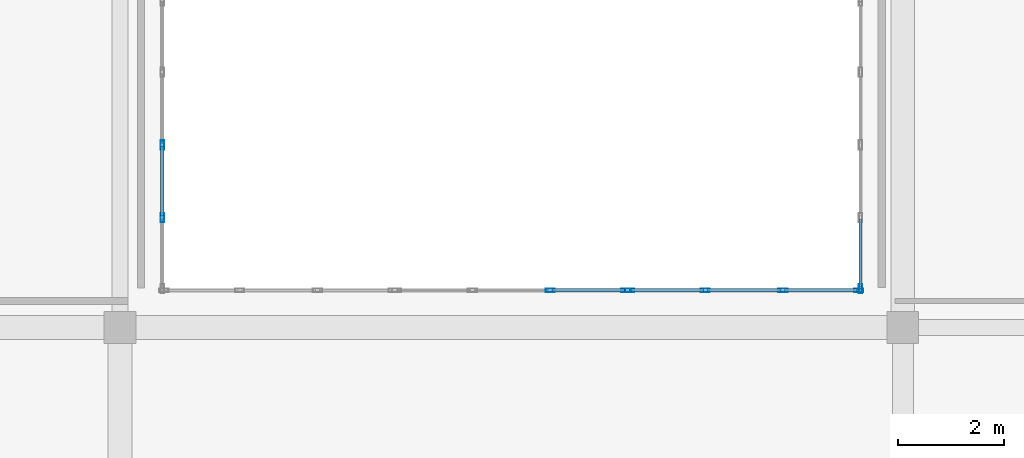
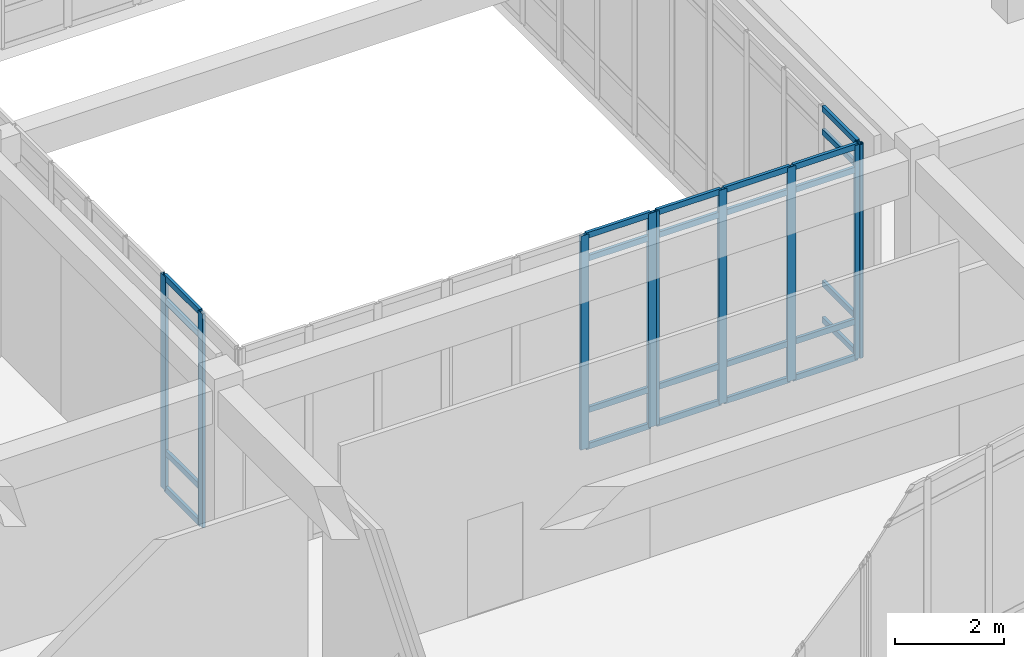
# One storey, part 61 of 121: 33 members, 4 elements without a shape of their own.
"""IFC4 building model written with IfcOpenShell, lengths in metres."""

from ifc_helpers import new_model, si_unit, direction, frame, origin, origin_2d, place, context, subcontext, project, spatial, hollow_rectangle, extrude, material, layer, layer_set, material_profile, profile_set, type_object, element, aggregate, save


model = new_model("IFC4")

# Units and contexts
model_context = context("Model", 3, precision=1e-05, world=origin(), true_north=direction((0.0, 1.0)))
body_context = subcontext(model_context, "Body", "Model", "MODEL_VIEW")
ifc_project = project(units=[si_unit("LENGTHUNIT", "METRE"), si_unit("AREAUNIT", "SQUARE_METRE"), si_unit("VOLUMEUNIT", "CUBIC_METRE"), si_unit("PLANEANGLEUNIT", "RADIAN"), si_unit("MASSUNIT", "GRAM", prefix="KILO")], contexts=[model_context])

# Site, building, storey
site_placement = place(None, origin())
site = spatial("IfcSite", under=ifc_project, at=site_placement, CompositionType="ELEMENT")
building_placement = place(site_placement, origin())
building = spatial("IfcBuilding", under=site, at=building_placement, Name="Valcora Specialist Clinic", CompositionType="ELEMENT")
storey_placement = place(building_placement, origin())
storey = spatial("IfcBuildingStorey", under=building, at=storey_placement, Name="L00", CompositionType="ELEMENT", Elevation=0.0)

# Curtain wall, members
ifc_material = material(Name="Anodized Bronze Aluminium 6063-T6", Category="aluminium")
ifc_layer = layer(ifc_material, 0.175048828125)
ifc_layer_set = layer_set([ifc_layer], Name="Anodized Bronze Aluminium 6063-T6")
curtain_wall_type = type_object("IfcCurtainWallType", Name="TY-CW-CRT15", PredefinedType="NOTDEFINED", material=ifc_layer_set)
curtain_wall_1_placement = place(storey_placement, origin())
curtain_wall_1 = element("IfcCurtainWall", 1, at=curtain_wall_1_placement, inside=storey, type_object=curtain_wall_type, Name="Curtain wall CW-L00-042", PredefinedType="NOTDEFINED")
ifc_material_profile_1 = material_profile(ifc_material, hollow_rectangle(XDim=0.06494140625, YDim=0.175048828125, WallThickness=0.00390625, at=origin_2d()), Name="AL-MUL-65X175")
ifc_profile_set_1 = profile_set([ifc_material_profile_1], Name="Anodized Bronze Aluminium 6063-T6")
member_type_1 = type_object("IfcMemberType", Name="TY-CWM-65X175", PredefinedType="MULLION", material=ifc_profile_set_1)
member_1_placement = place(storey_placement, frame((119.333251953125, 82.0, 0.0), z_axis=(0.0, 0.0, 1.0), x_axis=(0.0, 1.0, 0.0)))
member_1 = element("IfcMember", 2, at=member_1_placement, type_object=member_type_1, Name="CW-CRT-15 mullion 3", PredefinedType="MULLION", context=body_context, shape_type="SweptSolid", body=[
    extrude(hollow_rectangle(XDim=0.06494140625, YDim=0.175048828125, WallThickness=0.00390625, at=origin_2d()), origin(), (0.0, 0.0, 1.0), 4.81005859375),
])
member_2_placement = place(storey_placement, frame((120.767578125, 82.0, 0.0), z_axis=(0.0, 0.0, 1.0), x_axis=(0.0, 1.0, 0.0)))
member_2 = element("IfcMember", 3, at=member_2_placement, type_object=member_type_1, Name="CW-CRT-15 mullion 4", PredefinedType="MULLION", context=body_context, shape_type="SweptSolid", body=[
    extrude(hollow_rectangle(XDim=0.06494140625, YDim=0.175048828125, WallThickness=0.00390625, at=origin_2d()), origin(), (0.0, 0.0, 1.0), 4.81005859375),
])

curtain_wall_2_placement = place(storey_placement, origin())
curtain_wall_2 = element("IfcCurtainWall", 4, at=curtain_wall_2_placement, inside=storey, type_object=curtain_wall_type, Name="Curtain wall CW-L00-043", PredefinedType="NOTDEFINED")
member_3_placement = place(storey_placement, frame((120.83251953125, 82.0, 0.0), z_axis=(0.0, 0.0, 1.0), x_axis=(0.0, 1.0, 0.0)))
member_3 = element("IfcMember", 5, at=member_3_placement, type_object=member_type_1, Name="CW-CRT-15 mullion 1", PredefinedType="MULLION", context=body_context, shape_type="SweptSolid", body=[
    extrude(hollow_rectangle(XDim=0.06494140625, YDim=0.175048828125, WallThickness=0.00390625, at=origin_2d()), origin(), (0.0, 0.0, 1.0), 4.81005859375),
])
member_4_placement = place(storey_placement, frame((122.2666015625, 82.0, 0.0), z_axis=(0.0, 0.0, 1.0), x_axis=(0.0, 1.0, 0.0)))
member_4 = element("IfcMember", 6, at=member_4_placement, type_object=member_type_1, Name="CW-CRT-15 mullion 2", PredefinedType="MULLION", context=body_context, shape_type="SweptSolid", body=[
    extrude(hollow_rectangle(XDim=0.06494140625, YDim=0.175048828125, WallThickness=0.00390625, at=origin_2d()), origin(), (0.0, 0.0, 1.0), 4.81005859375),
])
member_5_placement = place(storey_placement, frame((123.7333984375, 82.0, 0.0), z_axis=(0.0, 0.0, 1.0), x_axis=(0.0, 1.0, 0.0)))
member_5 = element("IfcMember", 7, at=member_5_placement, type_object=member_type_1, Name="CW-CRT-15 mullion 3", PredefinedType="MULLION", context=body_context, shape_type="SweptSolid", body=[
    extrude(hollow_rectangle(XDim=0.06494140625, YDim=0.175048828125, WallThickness=0.00390625, at=origin_2d()), origin(), (0.0, 0.0, 1.0), 4.81005859375),
])
member_6_placement = place(storey_placement, frame((125.16748046875, 82.0, 0.0), z_axis=(0.0, 0.0, 1.0), x_axis=(0.0, 1.0, 0.0)))
member_6 = element("IfcMember", 8, at=member_6_placement, type_object=member_type_1, Name="CW-CRT-15 mullion 4", PredefinedType="MULLION", context=body_context, shape_type="SweptSolid", body=[
    extrude(hollow_rectangle(XDim=0.06494140625, YDim=0.175048828125, WallThickness=0.00390625, at=origin_2d()), origin(), (0.0, 0.0, 1.0), 4.81005859375),
])

# Curtain wall, member
curtain_wall_3_placement = place(storey_placement, origin())
curtain_wall_3 = element("IfcCurtainWall", 9, at=curtain_wall_3_placement, inside=storey, type_object=curtain_wall_type, Name="Curtain wall CW-L00-044", PredefinedType="NOTDEFINED")
member_7_placement = place(storey_placement, frame((125.199951171875, 82.032470703125, 0.0), z_axis=(0.0, 0.0, 1.0), x_axis=(-1.0, 0.0, 0.0)))
member_7 = element("IfcMember", 10, at=member_7_placement, type_object=member_type_1, Name="CW-CRT-15 mullion 1", PredefinedType="MULLION", context=body_context, shape_type="SweptSolid", body=[
    extrude(hollow_rectangle(XDim=0.06494140625, YDim=0.175048828125, WallThickness=0.00390625, at=origin_2d()), origin(), (0.0, 0.0, 1.0), 4.81005859375),
])

# Curtain wall, members
curtain_wall_4_placement = place(storey_placement, origin())
curtain_wall_4 = element("IfcCurtainWall", 11, at=curtain_wall_4_placement, inside=storey, type_object=curtain_wall_type, Name="Curtain wall CW-L00-052", PredefinedType="NOTDEFINED")
member_8_placement = place(storey_placement, frame((112.0, 84.75, 0.0), z_axis=(0.0, 0.0, 1.0), x_axis=(1.0, 0.0, 0.0)))
member_8 = element("IfcMember", 12, at=member_8_placement, type_object=member_type_1, Name="CW-CRT-15 mullion 3", PredefinedType="MULLION", context=body_context, shape_type="SweptSolid", body=[
    extrude(hollow_rectangle(XDim=0.06494140625, YDim=0.175048828125, WallThickness=0.00390625, at=origin_2d()), origin(), (0.0, 0.0, 1.0), 4.81005859375),
])
member_9_placement = place(storey_placement, frame((112.0, 83.375, 0.0), z_axis=(0.0, 0.0, 1.0), x_axis=(1.0, 0.0, 0.0)))
member_9 = element("IfcMember", 13, at=member_9_placement, type_object=member_type_1, Name="CW-CRT-15 mullion 4", PredefinedType="MULLION", context=body_context, shape_type="SweptSolid", body=[
    extrude(hollow_rectangle(XDim=0.06494140625, YDim=0.175048828125, WallThickness=0.00390625, at=origin_2d()), origin(), (0.0, 0.0, 1.0), 4.81005859375),
])

# Member
ifc_material_profile_2 = material_profile(ifc_material, hollow_rectangle(XDim=0.06494140625, YDim=0.1298828125, WallThickness=0.00390625, at=origin_2d()), Name="AL-TRN-65X130")
ifc_profile_set_2 = profile_set([ifc_material_profile_2], Name="Anodized Bronze Aluminium 6063-T6")
member_type_2 = type_object("IfcMemberType", Name="TY-CWT-65X130", PredefinedType="USERDEFINED", material=ifc_profile_set_2)
member_10_placement = place(storey_placement, frame((119.36572265625, 82.0, 0.032470703125), z_axis=(1.0, 0.0, 0.0), x_axis=(0.0, 1.0, 0.0)))
member_10 = element("IfcMember", 14, at=member_10_placement, type_object=member_type_2, Name="CW-CRT-15 transom 3.1", ObjectType="TRANSOM", PredefinedType="USERDEFINED", context=body_context, shape_type="SweptSolid", body=[
    extrude(hollow_rectangle(XDim=0.06494140625, YDim=0.1298828125, WallThickness=0.00390625, at=origin_2d()), origin(), (0.0, 0.0, 1.0), 1.369384765625),
])

member_11_placement = place(storey_placement, frame((119.36572265625, 82.0, 0.85009765625), z_axis=(1.0, 0.0, 0.0), x_axis=(0.0, 1.0, 0.0)))
member_11 = element("IfcMember", 15, at=member_11_placement, type_object=member_type_2, Name="CW-CRT-15 transom 3.2", ObjectType="TRANSOM", PredefinedType="USERDEFINED", context=body_context, shape_type="SweptSolid", body=[
    extrude(hollow_rectangle(XDim=0.06494140625, YDim=0.1298828125, WallThickness=0.00390625, at=origin_2d()), origin(), (0.0, 0.0, 1.0), 1.369384765625),
])

member_12_placement = place(storey_placement, frame((119.36572265625, 82.0, 4.260009765625), z_axis=(1.0, 0.0, 0.0), x_axis=(0.0, 1.0, 0.0)))
member_12 = element("IfcMember", 16, at=member_12_placement, type_object=member_type_2, Name="CW-CRT-15 transom 3.3", ObjectType="TRANSOM", PredefinedType="USERDEFINED", context=body_context, shape_type="SweptSolid", body=[
    extrude(hollow_rectangle(XDim=0.06494140625, YDim=0.1298828125, WallThickness=0.00390625, at=origin_2d()), origin(), (0.0, 0.0, 1.0), 1.369384765625),
])

member_13_placement = place(storey_placement, frame((119.36572265625, 82.0, 4.777587890625), z_axis=(1.0, 0.0, 0.0), x_axis=(0.0, 1.0, 0.0)))
member_13 = element("IfcMember", 17, at=member_13_placement, type_object=member_type_2, Name="CW-CRT-15 transom 3.4", ObjectType="TRANSOM", PredefinedType="USERDEFINED", context=body_context, shape_type="SweptSolid", body=[
    extrude(hollow_rectangle(XDim=0.06494140625, YDim=0.1298828125, WallThickness=0.00390625, at=origin_2d()), origin(), (0.0, 0.0, 1.0), 1.369384765625),
])

aggregate(curtain_wall_1, [member_1, member_2, member_10, member_11, member_12, member_13])

member_14_placement = place(storey_placement, frame((120.864990234375, 82.0, 0.032470703125), z_axis=(1.0, 0.0, 0.0), x_axis=(0.0, 1.0, 0.0)))
member_14 = element("IfcMember", 18, at=member_14_placement, type_object=member_type_2, Name="CW-CRT-15 transom 1.1", ObjectType="TRANSOM", PredefinedType="USERDEFINED", context=body_context, shape_type="SweptSolid", body=[
    extrude(hollow_rectangle(XDim=0.06494140625, YDim=0.1298828125, WallThickness=0.00390625, at=origin_2d()), origin(), (0.0, 0.0, 1.0), 1.369140625),
])

member_15_placement = place(storey_placement, frame((120.864990234375, 82.0, 0.85009765625), z_axis=(1.0, 0.0, 0.0), x_axis=(0.0, 1.0, 0.0)))
member_15 = element("IfcMember", 19, at=member_15_placement, type_object=member_type_2, Name="CW-CRT-15 transom 1.2", ObjectType="TRANSOM", PredefinedType="USERDEFINED", context=body_context, shape_type="SweptSolid", body=[
    extrude(hollow_rectangle(XDim=0.06494140625, YDim=0.1298828125, WallThickness=0.00390625, at=origin_2d()), origin(), (0.0, 0.0, 1.0), 1.369140625),
])

member_16_placement = place(storey_placement, frame((120.864990234375, 82.0, 4.260009765625), z_axis=(1.0, 0.0, 0.0), x_axis=(0.0, 1.0, 0.0)))
member_16 = element("IfcMember", 20, at=member_16_placement, type_object=member_type_2, Name="CW-CRT-15 transom 1.3", ObjectType="TRANSOM", PredefinedType="USERDEFINED", context=body_context, shape_type="SweptSolid", body=[
    extrude(hollow_rectangle(XDim=0.06494140625, YDim=0.1298828125, WallThickness=0.00390625, at=origin_2d()), origin(), (0.0, 0.0, 1.0), 1.369140625),
])

member_17_placement = place(storey_placement, frame((120.864990234375, 82.0, 4.777587890625), z_axis=(1.0, 0.0, 0.0), x_axis=(0.0, 1.0, 0.0)))
member_17 = element("IfcMember", 21, at=member_17_placement, type_object=member_type_2, Name="CW-CRT-15 transom 1.4", ObjectType="TRANSOM", PredefinedType="USERDEFINED", context=body_context, shape_type="SweptSolid", body=[
    extrude(hollow_rectangle(XDim=0.06494140625, YDim=0.1298828125, WallThickness=0.00390625, at=origin_2d()), origin(), (0.0, 0.0, 1.0), 1.369140625),
])

member_18_placement = place(storey_placement, frame((122.299072265625, 82.0, 0.032470703125), z_axis=(1.0, 0.0, 0.0), x_axis=(0.0, 1.0, 0.0)))
member_18 = element("IfcMember", 22, at=member_18_placement, type_object=member_type_2, Name="CW-CRT-15 transom 2.1", ObjectType="TRANSOM", PredefinedType="USERDEFINED", context=body_context, shape_type="SweptSolid", body=[
    extrude(hollow_rectangle(XDim=0.06494140625, YDim=0.1298828125, WallThickness=0.00390625, at=origin_2d()), origin(), (0.0, 0.0, 1.0), 1.40185546875),
])

member_19_placement = place(storey_placement, frame((122.299072265625, 82.0, 0.85009765625), z_axis=(1.0, 0.0, 0.0), x_axis=(0.0, 1.0, 0.0)))
member_19 = element("IfcMember", 23, at=member_19_placement, type_object=member_type_2, Name="CW-CRT-15 transom 2.2", ObjectType="TRANSOM", PredefinedType="USERDEFINED", context=body_context, shape_type="SweptSolid", body=[
    extrude(hollow_rectangle(XDim=0.06494140625, YDim=0.1298828125, WallThickness=0.00390625, at=origin_2d()), origin(), (0.0, 0.0, 1.0), 1.40185546875),
])

member_20_placement = place(storey_placement, frame((122.299072265625, 82.0, 4.260009765625), z_axis=(1.0, 0.0, 0.0), x_axis=(0.0, 1.0, 0.0)))
member_20 = element("IfcMember", 24, at=member_20_placement, type_object=member_type_2, Name="CW-CRT-15 transom 2.3", ObjectType="TRANSOM", PredefinedType="USERDEFINED", context=body_context, shape_type="SweptSolid", body=[
    extrude(hollow_rectangle(XDim=0.06494140625, YDim=0.1298828125, WallThickness=0.00390625, at=origin_2d()), origin(), (0.0, 0.0, 1.0), 1.40185546875),
])

member_21_placement = place(storey_placement, frame((122.299072265625, 82.0, 4.777587890625), z_axis=(1.0, 0.0, 0.0), x_axis=(0.0, 1.0, 0.0)))
member_21 = element("IfcMember", 25, at=member_21_placement, type_object=member_type_2, Name="CW-CRT-15 transom 2.4", ObjectType="TRANSOM", PredefinedType="USERDEFINED", context=body_context, shape_type="SweptSolid", body=[
    extrude(hollow_rectangle(XDim=0.06494140625, YDim=0.1298828125, WallThickness=0.00390625, at=origin_2d()), origin(), (0.0, 0.0, 1.0), 1.40185546875),
])

member_22_placement = place(storey_placement, frame((123.765869140625, 82.0, 0.032470703125), z_axis=(1.0, 0.0, 0.0), x_axis=(0.0, 1.0, 0.0)))
member_22 = element("IfcMember", 26, at=member_22_placement, type_object=member_type_2, Name="CW-CRT-15 transom 3.1", ObjectType="TRANSOM", PredefinedType="USERDEFINED", context=body_context, shape_type="SweptSolid", body=[
    extrude(hollow_rectangle(XDim=0.06494140625, YDim=0.1298828125, WallThickness=0.00390625, at=origin_2d()), origin(), (0.0, 0.0, 1.0), 1.369140625),
])

member_23_placement = place(storey_placement, frame((123.765869140625, 82.0, 0.85009765625), z_axis=(1.0, 0.0, 0.0), x_axis=(0.0, 1.0, 0.0)))
member_23 = element("IfcMember", 27, at=member_23_placement, type_object=member_type_2, Name="CW-CRT-15 transom 3.2", ObjectType="TRANSOM", PredefinedType="USERDEFINED", context=body_context, shape_type="SweptSolid", body=[
    extrude(hollow_rectangle(XDim=0.06494140625, YDim=0.1298828125, WallThickness=0.00390625, at=origin_2d()), origin(), (0.0, 0.0, 1.0), 1.369140625),
])

member_24_placement = place(storey_placement, frame((123.765869140625, 82.0, 4.260009765625), z_axis=(1.0, 0.0, 0.0), x_axis=(0.0, 1.0, 0.0)))
member_24 = element("IfcMember", 28, at=member_24_placement, type_object=member_type_2, Name="CW-CRT-15 transom 3.3", ObjectType="TRANSOM", PredefinedType="USERDEFINED", context=body_context, shape_type="SweptSolid", body=[
    extrude(hollow_rectangle(XDim=0.06494140625, YDim=0.1298828125, WallThickness=0.00390625, at=origin_2d()), origin(), (0.0, 0.0, 1.0), 1.369140625),
])

member_25_placement = place(storey_placement, frame((123.765869140625, 82.0, 4.777587890625), z_axis=(1.0, 0.0, 0.0), x_axis=(0.0, 1.0, 0.0)))
member_25 = element("IfcMember", 29, at=member_25_placement, type_object=member_type_2, Name="CW-CRT-15 transom 3.4", ObjectType="TRANSOM", PredefinedType="USERDEFINED", context=body_context, shape_type="SweptSolid", body=[
    extrude(hollow_rectangle(XDim=0.06494140625, YDim=0.1298828125, WallThickness=0.00390625, at=origin_2d()), origin(), (0.0, 0.0, 1.0), 1.369140625),
])

aggregate(curtain_wall_2, [member_3, member_4, member_5, member_6, member_14, member_15, member_16, member_17, member_18, member_19, member_20, member_21, member_22, member_23, member_24, member_25])

member_26_placement = place(storey_placement, frame((125.199951171875, 82.06494140625, 0.032470703125), z_axis=(0.0, 1.0, 0.0), x_axis=(-1.0, 0.0, 0.0)))
member_26 = element("IfcMember", 30, at=member_26_placement, type_object=member_type_2, Name="CW-CRT-15 transom 1.1", ObjectType="TRANSOM", PredefinedType="USERDEFINED", context=body_context, shape_type="SweptSolid", body=[
    extrude(hollow_rectangle(XDim=0.06494140625, YDim=0.1298828125, WallThickness=0.00390625, at=origin_2d()), origin(), (0.0, 0.0, 1.0), 1.277587890625),
])

member_27_placement = place(storey_placement, frame((125.199951171875, 82.06494140625, 0.85009765625), z_axis=(0.0, 1.0, 0.0), x_axis=(-1.0, 0.0, 0.0)))
member_27 = element("IfcMember", 31, at=member_27_placement, type_object=member_type_2, Name="CW-CRT-15 transom 1.2", ObjectType="TRANSOM", PredefinedType="USERDEFINED", context=body_context, shape_type="SweptSolid", body=[
    extrude(hollow_rectangle(XDim=0.06494140625, YDim=0.1298828125, WallThickness=0.00390625, at=origin_2d()), origin(), (0.0, 0.0, 1.0), 1.277587890625),
])

member_28_placement = place(storey_placement, frame((125.199951171875, 82.06494140625, 4.260009765625), z_axis=(0.0, 1.0, 0.0), x_axis=(-1.0, 0.0, 0.0)))
member_28 = element("IfcMember", 32, at=member_28_placement, type_object=member_type_2, Name="CW-CRT-15 transom 1.3", ObjectType="TRANSOM", PredefinedType="USERDEFINED", context=body_context, shape_type="SweptSolid", body=[
    extrude(hollow_rectangle(XDim=0.06494140625, YDim=0.1298828125, WallThickness=0.00390625, at=origin_2d()), origin(), (0.0, 0.0, 1.0), 1.277587890625),
])

member_29_placement = place(storey_placement, frame((125.199951171875, 82.06494140625, 4.777587890625), z_axis=(0.0, 1.0, 0.0), x_axis=(-1.0, 0.0, 0.0)))
member_29 = element("IfcMember", 33, at=member_29_placement, type_object=member_type_2, Name="CW-CRT-15 transom 1.4", ObjectType="TRANSOM", PredefinedType="USERDEFINED", context=body_context, shape_type="SweptSolid", body=[
    extrude(hollow_rectangle(XDim=0.06494140625, YDim=0.1298828125, WallThickness=0.00390625, at=origin_2d()), origin(), (0.0, 0.0, 1.0), 1.277587890625),
])

aggregate(curtain_wall_3, [member_7, member_26, member_27, member_28, member_29])

member_30_placement = place(storey_placement, frame((112.0, 84.717529296875, 0.032470703125), z_axis=(0.0, -1.0, 0.0), x_axis=(1.0, 0.0, 0.0)))
member_30 = element("IfcMember", 34, at=member_30_placement, type_object=member_type_2, Name="CW-CRT-15 transom 3.1", ObjectType="TRANSOM", PredefinedType="USERDEFINED", context=body_context, shape_type="SweptSolid", body=[
    extrude(hollow_rectangle(XDim=0.06494140625, YDim=0.1298828125, WallThickness=0.00390625, at=origin_2d()), origin(), (0.0, 0.0, 1.0), 1.31005859375),
])

member_31_placement = place(storey_placement, frame((112.0, 84.717529296875, 0.85009765625), z_axis=(0.0, -1.0, 0.0), x_axis=(1.0, 0.0, 0.0)))
member_31 = element("IfcMember", 35, at=member_31_placement, type_object=member_type_2, Name="CW-CRT-15 transom 3.2", ObjectType="TRANSOM", PredefinedType="USERDEFINED", context=body_context, shape_type="SweptSolid", body=[
    extrude(hollow_rectangle(XDim=0.06494140625, YDim=0.1298828125, WallThickness=0.00390625, at=origin_2d()), origin(), (0.0, 0.0, 1.0), 1.31005859375),
])

member_32_placement = place(storey_placement, frame((112.0, 84.717529296875, 4.260009765625), z_axis=(0.0, -1.0, 0.0), x_axis=(1.0, 0.0, 0.0)))
member_32 = element("IfcMember", 36, at=member_32_placement, type_object=member_type_2, Name="CW-CRT-15 transom 3.3", ObjectType="TRANSOM", PredefinedType="USERDEFINED", context=body_context, shape_type="SweptSolid", body=[
    extrude(hollow_rectangle(XDim=0.06494140625, YDim=0.1298828125, WallThickness=0.00390625, at=origin_2d()), origin(), (0.0, 0.0, 1.0), 1.31005859375),
])

member_33_placement = place(storey_placement, frame((112.0, 84.717529296875, 4.777587890625), z_axis=(0.0, -1.0, 0.0), x_axis=(1.0, 0.0, 0.0)))
member_33 = element("IfcMember", 37, at=member_33_placement, type_object=member_type_2, Name="CW-CRT-15 transom 3.4", ObjectType="TRANSOM", PredefinedType="USERDEFINED", context=body_context, shape_type="SweptSolid", body=[
    extrude(hollow_rectangle(XDim=0.06494140625, YDim=0.1298828125, WallThickness=0.00390625, at=origin_2d()), origin(), (0.0, 0.0, 1.0), 1.31005859375),
])

aggregate(curtain_wall_4, [member_8, member_9, member_30, member_31, member_32, member_33])

save(model, "model.ifc")
